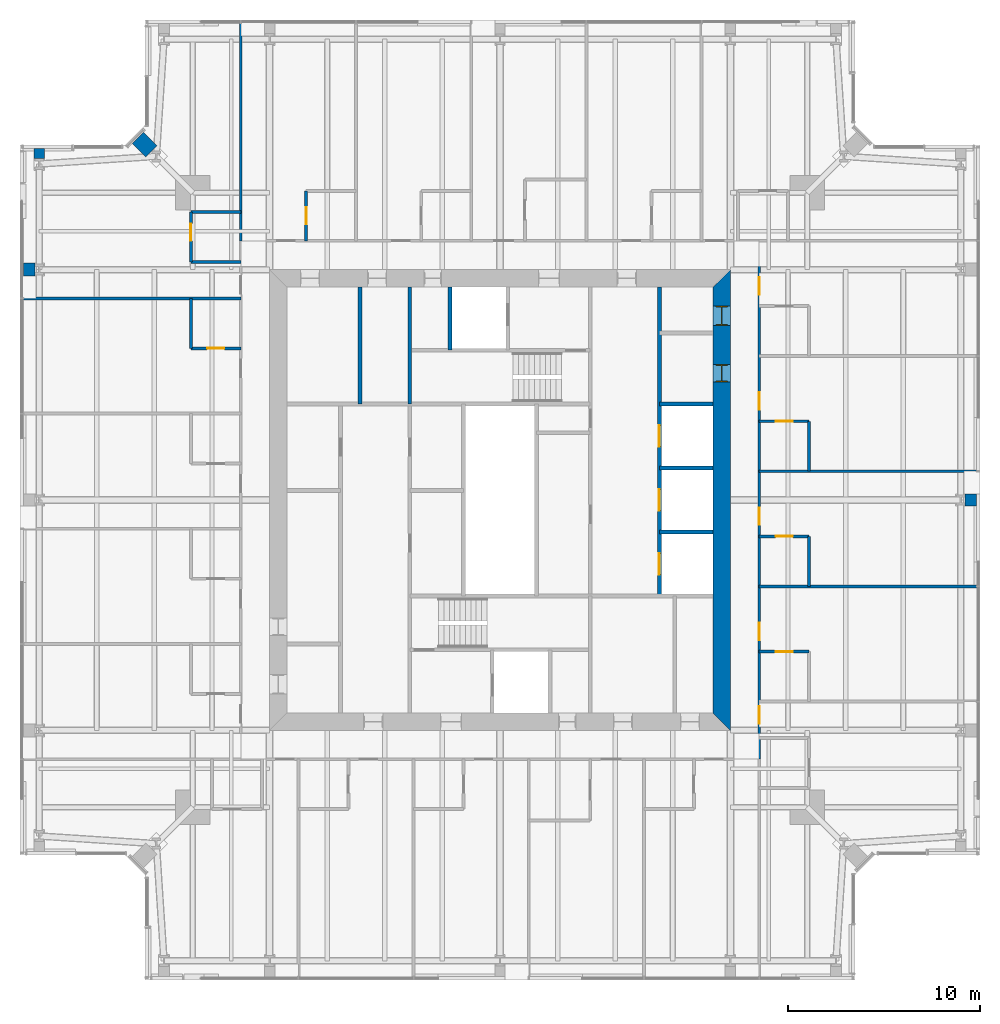
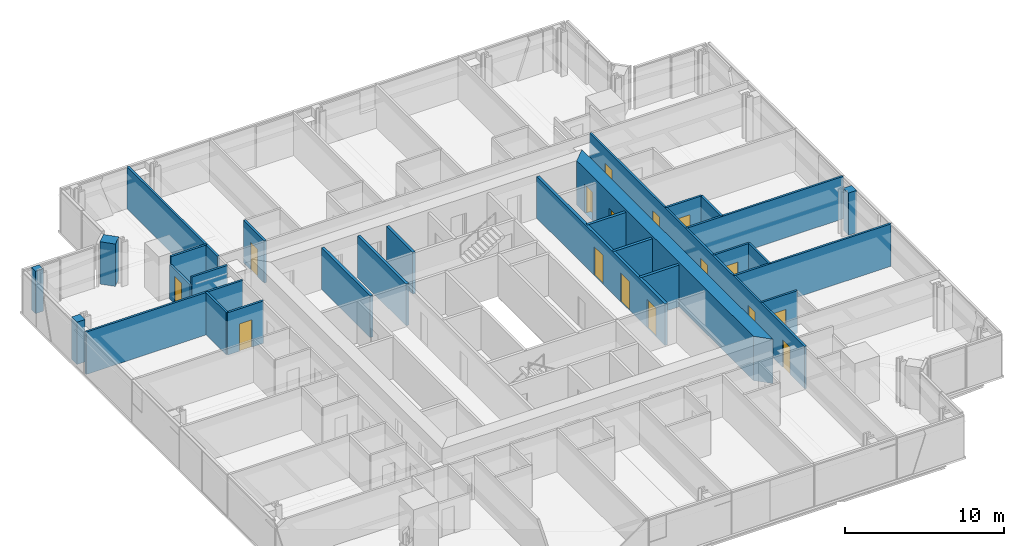
# One storey, part 13 of 20: 28 walls, 16 doors, 16 openings.
"""IFC4 building model written with IfcOpenShell, lengths in metres."""

from ifc_helpers import new_model, si_unit, direction, frame, frame_2d, origin, place, context, subcontext, project, spatial, polyline, rectangle, outline, extrude, material, layer, layer_set, type_object, element, fill, save


model = new_model("IFC4")

# Units and contexts
model_context = context("Model", 3, precision=1e-05, world=origin(), true_north=direction((0.0, 1.0)))
body_context = subcontext(model_context, "Body", "Model", "MODEL_VIEW")
ifc_project = project(units=[si_unit("LENGTHUNIT", "METRE"), si_unit("AREAUNIT", "SQUARE_METRE"), si_unit("VOLUMEUNIT", "CUBIC_METRE"), si_unit("PLANEANGLEUNIT", "RADIAN"), si_unit("MASSUNIT", "GRAM", prefix="KILO")], contexts=[model_context])

# Site, building, storey
site_placement = place(None, origin())
site = spatial("IfcSite", under=ifc_project, at=site_placement, CompositionType="ELEMENT")
building_placement = place(site_placement, origin())
building = spatial("IfcBuilding", under=site, at=building_placement, Name="Fenwick Lantern Interchange", CompositionType="ELEMENT")
storey_placement = place(building_placement, frame((0.0, 0.0, 252.60009765625)))
storey = spatial("IfcBuildingStorey", under=building, at=storey_placement, Name="L59", CompositionType="ELEMENT", Elevation=252.60009765625)

# Walls
ifc_material_1 = material(Name="Fire-rated gypsum board encasement on steel studs, 2 hour", Category="steel")
ifc_layer_1 = layer(ifc_material_1, 0.554931640625)
ifc_layer_set_1 = layer_set([ifc_layer_1], Name="COLUMN PIER 555")
wall_type_1 = type_object("IfcWallType", Name="COLUMN PIER 555", PredefinedType="PARTITIONING", material=ifc_layer_set_1)
wall_1_placement = place(storey_placement, frame((1.0, 43.31005859375, 0.0), z_axis=(0.0, 0.0, 1.0), x_axis=(0.0, -1.0, 0.0)))
element("IfcWall", 1, at=wall_1_placement, inside=storey, type_object=wall_type_1, Name="L59/W/PIER/CW1", PredefinedType="PARTITIONING", context=body_context, shape_type="SweptSolid", body=[
    extrude(rectangle(XDim=0.525634765625, YDim=0.554931640625, at=frame_2d((0.2626953125, 0.0))), origin(), (0.0, 0.0, 1.0), 3.25),
])
ifc_layer_2 = layer(ifc_material_1, 0.631103515625)
ifc_layer_set_2 = layer_set([ifc_layer_2], Name="COLUMN PIER 631")
wall_type_2 = type_object("IfcWallType", Name="COLUMN PIER 631", PredefinedType="PARTITIONING", material=ifc_layer_set_2)
wall_2_placement = place(storey_placement, frame((49.81005859375, 25.0, 0.0), z_axis=(0.0, 0.0, 1.0), x_axis=(-1.0, 0.0, 0.0)))
element("IfcWall", 2, at=wall_2_placement, inside=storey, type_object=wall_type_2, Name="L59/W/PIER/CE3", PredefinedType="PARTITIONING", context=body_context, shape_type="SweptSolid", body=[
    extrude(rectangle(XDim=0.589111328125, YDim=0.631103515625, at=frame_2d((0.29443359375, 0.0))), origin(), (0.0, 0.0, 1.0), 3.25),
])
ifc_layer_3 = layer(ifc_material_1, 0.6689453125)
ifc_layer_set_3 = layer_set([ifc_layer_3], Name="COLUMN PIER 669")
wall_type_3 = type_object("IfcWallType", Name="COLUMN PIER 669", PredefinedType="PARTITIONING", material=ifc_layer_set_3)
wall_3_placement = place(storey_placement, frame((0.18994140625, 37.0, 0.0), z_axis=(0.0, 0.0, 1.0), x_axis=(1.0, 0.0, 0.0)))
element("IfcWall", 3, at=wall_3_placement, inside=storey, type_object=wall_type_3, Name="L59/W/PIER/CW2", PredefinedType="PARTITIONING", context=body_context, shape_type="SweptSolid", body=[
    extrude(rectangle(XDim=0.582763671875, YDim=0.6689453125, at=frame_2d((0.29150390625, 0.0))), origin(), (0.0, 0.0, 1.0), 3.25),
])
ifc_layer_4 = layer(ifc_material_1, 0.823974609375)
ifc_layer_set_4 = layer_set([ifc_layer_4], Name="COLUMN PIER 824")
wall_type_4 = type_object("IfcWallType", Name="COLUMN PIER 824", PredefinedType="PARTITIONING", material=ifc_layer_set_4)
wall_4_placement = place(storey_placement, frame((6.13427734375, 43.86572265625, 0.0), z_axis=(0.0, 0.0, 1.0), x_axis=(0.707106781187, -0.707106781187, 0.0)))
element("IfcWall", 4, at=wall_4_placement, inside=storey, type_object=wall_type_4, Name="L59/W/PIER/CNR", PredefinedType="PARTITIONING", context=body_context, shape_type="SweptSolid", body=[
    extrude(rectangle(XDim=1.003662109375, YDim=0.823974609375, at=frame_2d((0.501953125, 0.0))), origin(), (0.0, 0.0, 1.0), 3.25),
])

# Wall, openings, doors
ifc_material_2 = material(Name="Concrete masonry ASTM C90 Grade N", Category="masonry")
ifc_layer_5 = layer(ifc_material_2, 0.199951171875)
ifc_layer_set_5 = layer_set([ifc_layer_5], Name="Concrete masonry ASTM C90 Grade N")
wall_type_5 = type_object("IfcWallType", Name="CORE PARTITION 200", PredefinedType="PARTITIONING", material=ifc_layer_set_5)
wall_5_placement = place(storey_placement, frame((33.300048828125, 36.10009765625, 0.0), z_axis=(0.0, 0.0, 1.0), x_axis=(0.0, -1.0, 0.0)))
wall_5 = element("IfcWall", 5, at=wall_5_placement, inside=storey, type_object=wall_type_5, Name="L59/W/COREN/a", PredefinedType="PARTITIONING", context=body_context, shape_type="SweptSolid", body=[
    extrude(rectangle(XDim=16.10009765625, YDim=0.199951171875, at=frame_2d((8.050048828125, 0.0))), origin(), (0.0, 0.0, 1.0), 3.199951171875),
])
opening_1_placement = place(wall_5_placement, frame((7.216552734375, 0.0, 0.0)))
opening_1 = element("IfcOpeningElement", 6, at=opening_1_placement, cuts=wall_5, Name="Opening LD-E1-1", PredefinedType="OPENING", context=body_context, shape_type="SweptSolid", body=[
    extrude(rectangle(XDim=1.10009765625, YDim=2.199951171875, at=frame_2d((0.550048828125, 1.10009765625))), frame((0.0, 0.10986328125, 0.0), z_axis=(0.0, -1.0, 0.0), x_axis=(1.0, 0.0, 0.0)), (0.0, 0.0, 1.0), 0.219970703125),
])
opening_2_placement = place(wall_5_placement, frame((10.550048828125, 0.0, 0.0)))
opening_2 = element("IfcOpeningElement", 7, at=opening_2_placement, cuts=wall_5, Name="Opening LD-E1-2", PredefinedType="OPENING", context=body_context, shape_type="SweptSolid", body=[
    extrude(rectangle(XDim=1.10009765625, YDim=2.199951171875, at=frame_2d((0.550048828125, 1.10009765625))), frame((0.0, 0.10986328125, 0.0), z_axis=(0.0, -1.0, 0.0), x_axis=(1.0, 0.0, 0.0)), (0.0, 0.0, 1.0), 0.219970703125),
])
opening_3_placement = place(wall_5_placement, frame((13.88330078125, 0.0, 0.0)))
opening_3 = element("IfcOpeningElement", 8, at=opening_3_placement, cuts=wall_5, Name="Opening LD-E1-3", PredefinedType="OPENING", context=body_context, shape_type="SweptSolid", body=[
    extrude(rectangle(XDim=1.10009765625, YDim=2.199951171875, at=frame_2d((0.550048828125, 1.10009765625))), frame((0.0, 0.10986328125, 0.0), z_axis=(0.0, -1.0, 0.0), x_axis=(1.0, 0.0, 0.0)), (0.0, 0.0, 1.0), 0.219970703125),
])
ifc_material_3 = material(Name="Steel door and frame", Category="steel")
door_type_1 = type_object("IfcDoorType", Name="LIFT LANDING DOOR 1100 X 2200", OperationType="DOUBLE_DOOR_SLIDING", PredefinedType="DOOR", material=ifc_material_3)
door_1_placement = place(opening_1_placement, origin())
door_1 = element("IfcDoor", 9, at=door_1_placement, inside=storey, type_object=door_type_1, Name="Lift landing door E1-1", OperationType="DOUBLE_DOOR_SLIDING", OverallHeight=2.199951171875, OverallWidth=1.10009765625, PredefinedType="DOOR", context=body_context, shape_type="SweptSolid", body=[
    extrude(rectangle(XDim=1.10009765625, YDim=2.199951171875, at=frame_2d((0.550048828125, 1.10009765625))), frame((0.0, 0.02490234375, 0.0), z_axis=(0.0, -1.0, 0.0), x_axis=(1.0, 0.0, 0.0)), (0.0, 0.0, 1.0), 0.050048828125),
])
fill(opening_1, door_1)
door_2_placement = place(opening_2_placement, origin())
door_2 = element("IfcDoor", 10, at=door_2_placement, inside=storey, type_object=door_type_1, Name="Lift landing door E1-2", OperationType="DOUBLE_DOOR_SLIDING", OverallHeight=2.199951171875, OverallWidth=1.10009765625, PredefinedType="DOOR", context=body_context, shape_type="SweptSolid", body=[
    extrude(rectangle(XDim=1.10009765625, YDim=2.199951171875, at=frame_2d((0.550048828125, 1.10009765625))), frame((0.0, 0.02490234375, 0.0), z_axis=(0.0, -1.0, 0.0), x_axis=(1.0, 0.0, 0.0)), (0.0, 0.0, 1.0), 0.050048828125),
])
fill(opening_2, door_2)
door_3_placement = place(opening_3_placement, origin())
door_3 = element("IfcDoor", 11, at=door_3_placement, inside=storey, type_object=door_type_1, Name="Lift landing door E1-3", OperationType="DOUBLE_DOOR_SLIDING", OverallHeight=2.199951171875, OverallWidth=1.10009765625, PredefinedType="DOOR", context=body_context, shape_type="SweptSolid", body=[
    extrude(rectangle(XDim=1.10009765625, YDim=2.199951171875, at=frame_2d((0.550048828125, 1.10009765625))), frame((0.0, 0.02490234375, 0.0), z_axis=(0.0, -1.0, 0.0), x_axis=(1.0, 0.0, 0.0)), (0.0, 0.0, 1.0), 0.050048828125),
])
fill(opening_3, door_3)

# Walls
for number, where, z_axis, x_axis, name in (
    (12, (36.10009765625, 30.0, 0.0), (0.0, 0.0, 1.0), (-1.0, 0.0, 0.0), "L59/W/COREN/c2"),
    (13, (36.10009765625, 26.666748046875, 0.0), (0.0, 0.0, 1.0), (-1.0, 0.0, 0.0), "L59/W/COREN/d1"),
    (14, (36.10009765625, 23.333251953125, 0.0), (0.0, 0.0, 1.0), (-1.0, 0.0, 0.0), "L59/W/COREN/d2"),
):
    element("IfcWall", number, at=place(storey_placement, frame(where, z_axis=z_axis, x_axis=x_axis)), inside=storey, type_object=wall_type_5, Name=name, PredefinedType="PARTITIONING", context=body_context, shape_type="SweptSolid", body=[
        extrude(rectangle(XDim=2.800048828125, YDim=0.199951171875, at=frame_2d((1.39990234375, 0.0))), origin(), (0.0, 0.0, 1.0), 3.199951171875),
    ])
wall_6_placement = place(storey_placement, frame((22.39990234375, 36.10009765625, 0.0), z_axis=(0.0, 0.0, 1.0), x_axis=(0.0, -1.0, 0.0)))
element("IfcWall", 15, at=wall_6_placement, inside=storey, type_object=wall_type_5, Name="L59/W/COREN/h2", PredefinedType="PARTITIONING", context=body_context, shape_type="SweptSolid", body=[
    extrude(rectangle(XDim=3.300048828125, YDim=0.199951171875, at=frame_2d((1.64990234375, 0.0))), origin(), (0.0, 0.0, 1.0), 3.199951171875),
])
wall_7_placement = place(storey_placement, frame((17.699951171875, 36.10009765625, 0.0), z_axis=(0.0, 0.0, 1.0), x_axis=(0.0, -1.0, 0.0)))
element("IfcWall", 16, at=wall_7_placement, inside=storey, type_object=wall_type_5, Name="L59/W/COREN/i2", PredefinedType="PARTITIONING", context=body_context, shape_type="SweptSolid", body=[
    extrude(rectangle(XDim=6.10009765625, YDim=0.199951171875, at=frame_2d((3.050048828125, 0.0))), origin(), (0.0, 0.0, 1.0), 3.199951171875),
])

# Wall, openings, doors
ifc_material_4 = material(Name="Concrete f'c 70 MPa", Category="concrete")
ifc_layer_6 = layer(ifc_material_4, 0.89990234375)
ifc_layer_set_6 = layer_set([ifc_layer_6], Name="CORE WALL 900")
wall_type_6 = type_object("IfcWallType", Name="CORE WALL 900", PredefinedType="SHEAR", material=ifc_layer_set_6)
wall_8_placement = place(storey_placement, frame((36.550048828125, 13.89990234375, 0.0), z_axis=(0.0, 0.0, 1.0), x_axis=(0.0, 1.0, 0.0)))
wall_8 = element("IfcWall", 17, at=wall_8_placement, inside=storey, type_object=wall_type_6, Name="L59/CORE/E", PredefinedType="SHEAR", context=body_context, shape_type="SweptSolid", body=[
    extrude(outline(polyline([(-0.89990234375, -0.449951171875), (23.10009765625, -0.449951171875), (22.199951171875, 0.449951171875), (0.0, 0.449951171875), (-0.89990234375, -0.449951171875)])), origin(), (0.0, 0.0, 1.0), 3.39990234375),
])
opening_4_placement = place(wall_8_placement, frame((20.199951171875, 0.0, 0.0)))
opening_4 = element("IfcOpeningElement", 18, at=opening_4_placement, cuts=wall_8, Name="Opening L59-D018", PredefinedType="OPENING", context=body_context, shape_type="SweptSolid", body=[
    extrude(rectangle(XDim=1.0, YDim=2.199951171875, at=frame_2d((0.5, 1.10009765625))), frame((0.0, 0.4599609375, 0.0), z_axis=(0.0, -1.0, 0.0), x_axis=(1.0, 0.0, 0.0)), (0.0, 0.0, 1.0), 0.919921875),
])
opening_5_placement = place(wall_8_placement, frame((17.25, 0.0, 0.0)))
opening_5 = element("IfcOpeningElement", 19, at=opening_5_placement, cuts=wall_8, Name="Opening L59-D019", PredefinedType="OPENING", context=body_context, shape_type="SweptSolid", body=[
    extrude(rectangle(XDim=0.89990234375, YDim=2.199951171875, at=frame_2d((0.449951171875, 1.10009765625))), frame((0.0, 0.4599609375, 0.0), z_axis=(0.0, -1.0, 0.0), x_axis=(1.0, 0.0, 0.0)), (0.0, 0.0, 1.0), 0.919921875),
])
door_type_2 = type_object("IfcDoorType", Name="SERVICE DOOR 1000 X 2200", OperationType="SINGLE_SWING_LEFT", PredefinedType="DOOR", material=ifc_material_3)
door_4_placement = place(opening_4_placement, origin())
door_4 = element("IfcDoor", 20, at=door_4_placement, inside=storey, type_object=door_type_2, Name="Service door", OperationType="SINGLE_SWING_LEFT", OverallHeight=2.199951171875, OverallWidth=1.0, PredefinedType="DOOR", context=body_context, shape_type="SweptSolid", body=[
    extrude(rectangle(XDim=1.0, YDim=2.199951171875, at=frame_2d((0.5, 1.10009765625))), frame((0.0, 0.02490234375, 0.0), z_axis=(0.0, -1.0, 0.0), x_axis=(1.0, 0.0, 0.0)), (0.0, 0.0, 1.0), 0.050048828125),
    extrude(outline(polyline([(0.0, 0.0), (0.0400390625, 0.0), (0.0400390625, 2.159912109375), (0.9599609375, 2.159912109375), (0.9599609375, 0.0), (1.0, 0.0), (1.0, 2.199951171875), (0.0, 2.199951171875), (0.0, 0.0)])), frame((0.0, 0.300048828125, 0.0), z_axis=(0.0, -1.0, 0.0), x_axis=(1.0, 0.0, 0.0)), (0.0, 0.0, 1.0), 0.60009765625),
])
fill(opening_4, door_4)
door_type_3 = type_object("IfcDoorType", Name="SERVICE DOOR 900 X 2200", OperationType="SINGLE_SWING_LEFT", PredefinedType="DOOR", material=ifc_material_3)
door_5_placement = place(opening_5_placement, origin())
door_5 = element("IfcDoor", 21, at=door_5_placement, inside=storey, type_object=door_type_3, Name="Service door", OperationType="SINGLE_SWING_LEFT", OverallHeight=2.199951171875, OverallWidth=0.89990234375, PredefinedType="DOOR", context=body_context, shape_type="SweptSolid", body=[
    extrude(rectangle(XDim=0.89990234375, YDim=2.199951171875, at=frame_2d((0.449951171875, 1.10009765625))), frame((0.0, 0.02490234375, 0.0), z_axis=(0.0, -1.0, 0.0), x_axis=(1.0, 0.0, 0.0)), (0.0, 0.0, 1.0), 0.050048828125),
    extrude(outline(polyline([(0.0, 0.0), (0.0400390625, 0.0), (0.0400390625, 2.159912109375), (0.85986328125, 2.159912109375), (0.85986328125, 0.0), (0.89990234375, 0.0), (0.89990234375, 2.199951171875), (0.0, 2.199951171875), (0.0, 0.0)])), frame((0.0, 0.300048828125, 0.0), z_axis=(0.0, -1.0, 0.0), x_axis=(1.0, 0.0, 0.0)), (0.0, 0.0, 1.0), 0.60009765625),
])
fill(opening_5, door_5)

ifc_material_5 = material(Name="Gypsum board on steel studs, 1 hour", Category="steel")
ifc_layer_7 = layer(ifc_material_5, 0.14990234375)
ifc_layer_set_7 = layer_set([ifc_layer_7], Name="CORRIDOR WALL 150")
wall_type_7 = type_object("IfcWallType", Name="CORRIDOR WALL 150", PredefinedType="PARTITIONING", material=ifc_layer_set_7)
wall_9_placement = place(storey_placement, frame((38.5, 11.5, 0.0), z_axis=(0.0, 0.0, 1.0), x_axis=(0.0, 1.0, 0.0)))
wall_9 = element("IfcWall", 22, at=wall_9_placement, inside=storey, type_object=wall_type_7, Name="L59/W/HOTEL/E/CW", PredefinedType="PARTITIONING", context=body_context, shape_type="SweptSolid", body=[
    extrude(rectangle(XDim=27.0, YDim=0.14990234375, at=frame_2d((13.5, 0.0))), origin(), (0.0, 0.0, 1.0), 3.25),
])
opening_6_placement = place(wall_9_placement, frame((1.85009765625, 0.0, 0.0)))
opening_6 = element("IfcOpeningElement", 23, at=opening_6_placement, cuts=wall_9, Name="Opening L59-D032", PredefinedType="OPENING", context=body_context, shape_type="SweptSolid", body=[
    extrude(rectangle(XDim=0.89990234375, YDim=2.10009765625, at=frame_2d((0.449951171875, 1.050048828125))), frame((0.0, 0.0849609375, 0.0), z_axis=(0.0, -1.0, 0.0), x_axis=(1.0, 0.0, 0.0)), (0.0, 0.0, 1.0), 0.169921875),
])
opening_7_placement = place(wall_9_placement, frame((6.199951171875, 0.0, 0.0)))
opening_7 = element("IfcOpeningElement", 24, at=opening_7_placement, cuts=wall_9, Name="Opening L59-D035", PredefinedType="OPENING", context=body_context, shape_type="SweptSolid", body=[
    extrude(rectangle(XDim=0.89990234375, YDim=2.10009765625, at=frame_2d((0.449951171875, 1.050048828125))), frame((0.0, 0.0849609375, 0.0), z_axis=(0.0, -1.0, 0.0), x_axis=(1.0, 0.0, 0.0)), (0.0, 0.0, 1.0), 0.169921875),
])
opening_8_placement = place(wall_9_placement, frame((12.199951171875, 0.0, 0.0)))
opening_8 = element("IfcOpeningElement", 25, at=opening_8_placement, cuts=wall_9, Name="Opening L59-D037", PredefinedType="OPENING", context=body_context, shape_type="SweptSolid", body=[
    extrude(rectangle(XDim=0.89990234375, YDim=2.10009765625, at=frame_2d((0.449951171875, 1.050048828125))), frame((0.0, 0.0849609375, 0.0), z_axis=(0.0, -1.0, 0.0), x_axis=(1.0, 0.0, 0.0)), (0.0, 0.0, 1.0), 0.169921875),
])
opening_9_placement = place(wall_9_placement, frame((18.199951171875, 0.0, 0.0)))
opening_9 = element("IfcOpeningElement", 26, at=opening_9_placement, cuts=wall_9, Name="Opening L59-D039", PredefinedType="OPENING", context=body_context, shape_type="SweptSolid", body=[
    extrude(rectangle(XDim=0.89990234375, YDim=2.10009765625, at=frame_2d((0.449951171875, 1.050048828125))), frame((0.0, 0.0849609375, 0.0), z_axis=(0.0, -1.0, 0.0), x_axis=(1.0, 0.0, 0.0)), (0.0, 0.0, 1.0), 0.169921875),
])
opening_10_placement = place(wall_9_placement, frame((24.199951171875, 0.0, 0.0)))
opening_10 = element("IfcOpeningElement", 27, at=opening_10_placement, cuts=wall_9, Name="Opening L59-D041", PredefinedType="OPENING", context=body_context, shape_type="SweptSolid", body=[
    extrude(rectangle(XDim=0.89990234375, YDim=2.10009765625, at=frame_2d((0.449951171875, 1.050048828125))), frame((0.0, 0.0849609375, 0.0), z_axis=(0.0, -1.0, 0.0), x_axis=(1.0, 0.0, 0.0)), (0.0, 0.0, 1.0), 0.169921875),
])
door_type_4 = type_object("IfcDoorType", Name="GUEST ROOM DOOR 900 X 2100", OperationType="SINGLE_SWING_LEFT", PredefinedType="DOOR", material=ifc_material_3)
door_6_placement = place(opening_6_placement, frame((0.89990234375, 0.0, 0.0), z_axis=(0.0, 0.0, 1.0), x_axis=(-1.0, 0.0, 0.0)))
door_6 = element("IfcDoor", 28, at=door_6_placement, inside=storey, type_object=door_type_4, Name="Guest room door", OperationType="SINGLE_SWING_LEFT", OverallHeight=2.10009765625, OverallWidth=0.89990234375, PredefinedType="DOOR", context=body_context, shape_type="SweptSolid", body=[
    extrude(rectangle(XDim=0.89990234375, YDim=2.10009765625, at=frame_2d((0.449951171875, 1.050048828125))), frame((0.0, 0.02490234375, 0.0), z_axis=(0.0, -1.0, 0.0), x_axis=(1.0, 0.0, 0.0)), (0.0, 0.0, 1.0), 0.050048828125),
])
fill(opening_6, door_6)
door_7_placement = place(opening_7_placement, frame((0.89990234375, 0.0, 0.0), z_axis=(0.0, 0.0, 1.0), x_axis=(-1.0, 0.0, 0.0)))
door_7 = element("IfcDoor", 29, at=door_7_placement, inside=storey, type_object=door_type_4, Name="Guest room door", OperationType="SINGLE_SWING_RIGHT", OverallHeight=2.10009765625, OverallWidth=0.89990234375, PredefinedType="DOOR", context=body_context, shape_type="SweptSolid", body=[
    extrude(rectangle(XDim=0.89990234375, YDim=2.10009765625, at=frame_2d((0.449951171875, 1.050048828125))), frame((0.0, 0.02490234375, 0.0), z_axis=(0.0, -1.0, 0.0), x_axis=(1.0, 0.0, 0.0)), (0.0, 0.0, 1.0), 0.050048828125),
])
fill(opening_7, door_7)
door_8_placement = place(opening_8_placement, frame((0.89990234375, 0.0, 0.0), z_axis=(0.0, 0.0, 1.0), x_axis=(-1.0, 0.0, 0.0)))
door_8 = element("IfcDoor", 30, at=door_8_placement, inside=storey, type_object=door_type_4, Name="Guest room door", OperationType="SINGLE_SWING_RIGHT", OverallHeight=2.10009765625, OverallWidth=0.89990234375, PredefinedType="DOOR", context=body_context, shape_type="SweptSolid", body=[
    extrude(rectangle(XDim=0.89990234375, YDim=2.10009765625, at=frame_2d((0.449951171875, 1.050048828125))), frame((0.0, 0.02490234375, 0.0), z_axis=(0.0, -1.0, 0.0), x_axis=(1.0, 0.0, 0.0)), (0.0, 0.0, 1.0), 0.050048828125),
])
fill(opening_8, door_8)
door_9_placement = place(opening_9_placement, frame((0.89990234375, 0.0, 0.0), z_axis=(0.0, 0.0, 1.0), x_axis=(-1.0, 0.0, 0.0)))
door_9 = element("IfcDoor", 31, at=door_9_placement, inside=storey, type_object=door_type_4, Name="Guest room door", OperationType="SINGLE_SWING_RIGHT", OverallHeight=2.10009765625, OverallWidth=0.89990234375, PredefinedType="DOOR", context=body_context, shape_type="SweptSolid", body=[
    extrude(rectangle(XDim=0.89990234375, YDim=2.10009765625, at=frame_2d((0.449951171875, 1.050048828125))), frame((0.0, 0.02490234375, 0.0), z_axis=(0.0, -1.0, 0.0), x_axis=(1.0, 0.0, 0.0)), (0.0, 0.0, 1.0), 0.050048828125),
])
fill(opening_9, door_9)
door_10_placement = place(opening_10_placement, frame((0.89990234375, 0.0, 0.0), z_axis=(0.0, 0.0, 1.0), x_axis=(-1.0, 0.0, 0.0)))
door_10 = element("IfcDoor", 32, at=door_10_placement, inside=storey, type_object=door_type_4, Name="Guest room door", OperationType="SINGLE_SWING_RIGHT", OverallHeight=2.10009765625, OverallWidth=0.89990234375, PredefinedType="DOOR", context=body_context, shape_type="SweptSolid", body=[
    extrude(rectangle(XDim=0.89990234375, YDim=2.10009765625, at=frame_2d((0.449951171875, 1.050048828125))), frame((0.0, 0.02490234375, 0.0), z_axis=(0.0, -1.0, 0.0), x_axis=(1.0, 0.0, 0.0)), (0.0, 0.0, 1.0), 0.050048828125),
])
fill(opening_10, door_10)

# Wall, opening, door
ifc_material_6 = material(Name="Gypsum board on steel studs, moisture resistant", Category="steel")
ifc_layer_8 = layer(ifc_material_6, 0.14990234375)
ifc_layer_set_8 = layer_set([ifc_layer_8], Name="EN-SUITE WALL 150")
wall_type_8 = type_object("IfcWallType", Name="EN-SUITE WALL 150", PredefinedType="PARTITIONING", material=ifc_layer_set_8)
wall_10_placement = place(storey_placement, frame((41.10009765625, 17.10009765625, 0.0), z_axis=(0.0, 0.0, 1.0), x_axis=(-1.0, 0.0, 0.0)))
wall_10 = element("IfcWall", 33, at=wall_10_placement, inside=storey, type_object=wall_type_8, Name="L59/W/HOTEL/E/U2BX", PredefinedType="PARTITIONING", context=body_context, shape_type="SweptSolid", body=[
    extrude(rectangle(XDim=2.60009765625, YDim=0.14990234375, at=frame_2d((1.300048828125, 0.0))), origin(), (0.0, 0.0, 1.0), 3.25),
])
opening_11_placement = place(wall_10_placement, frame((0.85009765625, 0.0, 0.0)))
opening_11 = element("IfcOpeningElement", 34, at=opening_11_placement, cuts=wall_10, Name="Opening L59-D034", PredefinedType="OPENING", context=body_context, shape_type="SweptSolid", body=[
    extrude(rectangle(XDim=0.89990234375, YDim=2.10009765625, at=frame_2d((0.449951171875, 1.050048828125))), frame((0.0, 0.0849609375, 0.0), z_axis=(0.0, -1.0, 0.0), x_axis=(1.0, 0.0, 0.0)), (0.0, 0.0, 1.0), 0.169921875),
])
ifc_material_7 = material(Name="Hardwood door and steel frame", Category="steel")
door_type_5 = type_object("IfcDoorType", Name="EN-SUITE DOOR 900 X 2100", OperationType="SINGLE_SWING_LEFT", PredefinedType="DOOR", material=ifc_material_7)
door_11_placement = place(opening_11_placement, origin())
door_11 = element("IfcDoor", 35, at=door_11_placement, inside=storey, type_object=door_type_5, Name="En-suite door", OperationType="SINGLE_SWING_LEFT", OverallHeight=2.10009765625, OverallWidth=0.89990234375, PredefinedType="DOOR", context=body_context, shape_type="SweptSolid", body=[
    extrude(rectangle(XDim=0.89990234375, YDim=2.10009765625, at=frame_2d((0.449951171875, 1.050048828125))), frame((0.0, 0.02490234375, 0.0), z_axis=(0.0, -1.0, 0.0), x_axis=(1.0, 0.0, 0.0)), (0.0, 0.0, 1.0), 0.050048828125),
])
fill(opening_11, door_11)

# Wall
wall_11_placement = place(storey_placement, frame((41.10009765625, 20.5, 0.0), z_axis=(0.0, 0.0, 1.0), x_axis=(0.0, 1.0, 0.0)))
element("IfcWall", 36, at=wall_11_placement, inside=storey, type_object=wall_type_8, Name="L59/W/HOTEL/E/U3BW", PredefinedType="PARTITIONING", context=body_context, shape_type="SweptSolid", body=[
    extrude(rectangle(XDim=2.60009765625, YDim=0.14990234375, at=frame_2d((1.300048828125, 0.0))), origin(), (0.0, 0.0, 1.0), 3.25),
])

# Wall, opening, door
wall_12_placement = place(storey_placement, frame((41.10009765625, 23.10009765625, 0.0), z_axis=(0.0, 0.0, 1.0), x_axis=(-1.0, 0.0, 0.0)))
wall_12 = element("IfcWall", 37, at=wall_12_placement, inside=storey, type_object=wall_type_8, Name="L59/W/HOTEL/E/U3BX", PredefinedType="PARTITIONING", context=body_context, shape_type="SweptSolid", body=[
    extrude(rectangle(XDim=2.60009765625, YDim=0.14990234375, at=frame_2d((1.300048828125, 0.0))), origin(), (0.0, 0.0, 1.0), 3.25),
])
opening_12_placement = place(wall_12_placement, frame((0.85009765625, 0.0, 0.0)))
opening_12 = element("IfcOpeningElement", 38, at=opening_12_placement, cuts=wall_12, Name="Opening L59-D036", PredefinedType="OPENING", context=body_context, shape_type="SweptSolid", body=[
    extrude(rectangle(XDim=0.89990234375, YDim=2.10009765625, at=frame_2d((0.449951171875, 1.050048828125))), frame((0.0, 0.0849609375, 0.0), z_axis=(0.0, -1.0, 0.0), x_axis=(1.0, 0.0, 0.0)), (0.0, 0.0, 1.0), 0.169921875),
])
door_12_placement = place(opening_12_placement, origin())
door_12 = element("IfcDoor", 39, at=door_12_placement, inside=storey, type_object=door_type_5, Name="En-suite door", OperationType="SINGLE_SWING_LEFT", OverallHeight=2.10009765625, OverallWidth=0.89990234375, PredefinedType="DOOR", context=body_context, shape_type="SweptSolid", body=[
    extrude(rectangle(XDim=0.89990234375, YDim=2.10009765625, at=frame_2d((0.449951171875, 1.050048828125))), frame((0.0, 0.02490234375, 0.0), z_axis=(0.0, -1.0, 0.0), x_axis=(1.0, 0.0, 0.0)), (0.0, 0.0, 1.0), 0.050048828125),
])
fill(opening_12, door_12)

# Wall
wall_13_placement = place(storey_placement, frame((41.10009765625, 26.5, 0.0), z_axis=(0.0, 0.0, 1.0), x_axis=(0.0, 1.0, 0.0)))
element("IfcWall", 40, at=wall_13_placement, inside=storey, type_object=wall_type_8, Name="L59/W/HOTEL/E/U4BW", PredefinedType="PARTITIONING", context=body_context, shape_type="SweptSolid", body=[
    extrude(rectangle(XDim=2.60009765625, YDim=0.14990234375, at=frame_2d((1.300048828125, 0.0))), origin(), (0.0, 0.0, 1.0), 3.25),
])

# Wall, opening, door
wall_14_placement = place(storey_placement, frame((41.10009765625, 29.10009765625, 0.0), z_axis=(0.0, 0.0, 1.0), x_axis=(-1.0, 0.0, 0.0)))
wall_14 = element("IfcWall", 41, at=wall_14_placement, inside=storey, type_object=wall_type_8, Name="L59/W/HOTEL/E/U4BX", PredefinedType="PARTITIONING", context=body_context, shape_type="SweptSolid", body=[
    extrude(rectangle(XDim=2.60009765625, YDim=0.14990234375, at=frame_2d((1.300048828125, 0.0))), origin(), (0.0, 0.0, 1.0), 3.25),
])
opening_13_placement = place(wall_14_placement, frame((0.85009765625, 0.0, 0.0)))
opening_13 = element("IfcOpeningElement", 42, at=opening_13_placement, cuts=wall_14, Name="Opening L59-D038", PredefinedType="OPENING", context=body_context, shape_type="SweptSolid", body=[
    extrude(rectangle(XDim=0.89990234375, YDim=2.10009765625, at=frame_2d((0.449951171875, 1.050048828125))), frame((0.0, 0.0849609375, 0.0), z_axis=(0.0, -1.0, 0.0), x_axis=(1.0, 0.0, 0.0)), (0.0, 0.0, 1.0), 0.169921875),
])
door_13_placement = place(opening_13_placement, origin())
door_13 = element("IfcDoor", 43, at=door_13_placement, inside=storey, type_object=door_type_5, Name="En-suite door", OperationType="SINGLE_SWING_LEFT", OverallHeight=2.10009765625, OverallWidth=0.89990234375, PredefinedType="DOOR", context=body_context, shape_type="SweptSolid", body=[
    extrude(rectangle(XDim=0.89990234375, YDim=2.10009765625, at=frame_2d((0.449951171875, 1.050048828125))), frame((0.0, 0.02490234375, 0.0), z_axis=(0.0, -1.0, 0.0), x_axis=(1.0, 0.0, 0.0)), (0.0, 0.0, 1.0), 0.050048828125),
])
fill(opening_13, door_13)

wall_15_placement = place(storey_placement, frame((14.89990234375, 41.10009765625, 0.0), z_axis=(0.0, 0.0, 1.0), x_axis=(0.0, -1.0, 0.0)))
wall_15 = element("IfcWall", 44, at=wall_15_placement, inside=storey, type_object=wall_type_8, Name="L59/W/HOTEL/N/U5BX", PredefinedType="PARTITIONING", context=body_context, shape_type="SweptSolid", body=[
    extrude(rectangle(XDim=2.60009765625, YDim=0.14990234375, at=frame_2d((1.300048828125, 0.0))), origin(), (0.0, 0.0, 1.0), 3.25),
])
opening_14_placement = place(wall_15_placement, frame((0.85009765625, 0.0, 0.0)))
opening_14 = element("IfcOpeningElement", 45, at=opening_14_placement, cuts=wall_15, Name="Opening L59-D050", PredefinedType="OPENING", context=body_context, shape_type="SweptSolid", body=[
    extrude(rectangle(XDim=0.89990234375, YDim=2.10009765625, at=frame_2d((0.449951171875, 1.050048828125))), frame((0.0, 0.0849609375, 0.0), z_axis=(0.0, -1.0, 0.0), x_axis=(1.0, 0.0, 0.0)), (0.0, 0.0, 1.0), 0.169921875),
])
door_14_placement = place(opening_14_placement, origin())
door_14 = element("IfcDoor", 46, at=door_14_placement, inside=storey, type_object=door_type_5, Name="En-suite door", OperationType="SINGLE_SWING_LEFT", OverallHeight=2.10009765625, OverallWidth=0.89990234375, PredefinedType="DOOR", context=body_context, shape_type="SweptSolid", body=[
    extrude(rectangle(XDim=0.89990234375, YDim=2.10009765625, at=frame_2d((0.449951171875, 1.050048828125))), frame((0.0, 0.02490234375, 0.0), z_axis=(0.0, -1.0, 0.0), x_axis=(1.0, 0.0, 0.0)), (0.0, 0.0, 1.0), 0.050048828125),
])
fill(opening_14, door_14)

wall_16_placement = place(storey_placement, frame((8.89990234375, 40.0, 0.0), z_axis=(0.0, 0.0, 1.0), x_axis=(0.0, -1.0, 0.0)))
wall_16 = element("IfcWall", 47, at=wall_16_placement, inside=storey, type_object=wall_type_8, Name="L59/W/HOTEL/W/U1BW", PredefinedType="PARTITIONING", context=body_context, shape_type="SweptSolid", body=[
    extrude(rectangle(XDim=2.60009765625, YDim=0.14990234375, at=frame_2d((1.300048828125, 0.0))), origin(), (0.0, 0.0, 1.0), 2.6376953125),
])
opening_15_placement = place(wall_16_placement, frame((0.60009765625, 0.0, 0.0)))
opening_15 = element("IfcOpeningElement", 48, at=opening_15_placement, cuts=wall_16, Name="Opening L59-D053", PredefinedType="OPENING", context=body_context, shape_type="SweptSolid", body=[
    extrude(rectangle(XDim=0.89990234375, YDim=2.10009765625, at=frame_2d((0.449951171875, 1.050048828125))), frame((0.0, 0.0849609375, 0.0), z_axis=(0.0, -1.0, 0.0), x_axis=(1.0, 0.0, 0.0)), (0.0, 0.0, 1.0), 0.169921875),
])
door_15_placement = place(opening_15_placement, origin())
door_15 = element("IfcDoor", 49, at=door_15_placement, inside=storey, type_object=door_type_5, Name="En-suite door", OperationType="SINGLE_SWING_LEFT", OverallHeight=2.10009765625, OverallWidth=0.89990234375, PredefinedType="DOOR", context=body_context, shape_type="SweptSolid", body=[
    extrude(rectangle(XDim=0.89990234375, YDim=2.10009765625, at=frame_2d((0.449951171875, 1.050048828125))), frame((0.0, 0.02490234375, 0.0), z_axis=(0.0, -1.0, 0.0), x_axis=(1.0, 0.0, 0.0)), (0.0, 0.0, 1.0), 0.050048828125),
])
fill(opening_15, door_15)

# Walls
for number, where, z_axis, x_axis, name in (
    (50, (8.89990234375, 40.0, 0.0), (0.0, 0.0, 1.0), (1.0, 0.0, 0.0), "L59/W/HOTEL/W/U1BX"),
    (51, (8.89990234375, 37.39990234375, 0.0), (0.0, 0.0, 1.0), (1.0, 0.0, 0.0), "L59/W/HOTEL/W/U1BE"),
    (52, (8.89990234375, 35.5, 0.0), (0.0, 0.0, 1.0), (0.0, -1.0, 0.0), "L59/W/HOTEL/W/U2BW"),
):
    element("IfcWall", number, at=place(storey_placement, frame(where, z_axis=z_axis, x_axis=x_axis)), inside=storey, type_object=wall_type_8, Name=name, PredefinedType="PARTITIONING", context=body_context, shape_type="SweptSolid", body=[
        extrude(rectangle(XDim=2.60009765625, YDim=0.14990234375, at=frame_2d((1.300048828125, 0.0))), origin(), (0.0, 0.0, 1.0), 3.25),
    ])

# Wall, opening, door
wall_17_placement = place(storey_placement, frame((8.89990234375, 32.89990234375, 0.0), z_axis=(0.0, 0.0, 1.0), x_axis=(1.0, 0.0, 0.0)))
wall_17 = element("IfcWall", 53, at=wall_17_placement, inside=storey, type_object=wall_type_8, Name="L59/W/HOTEL/W/U2BX", PredefinedType="PARTITIONING", context=body_context, shape_type="SweptSolid", body=[
    extrude(rectangle(XDim=2.60009765625, YDim=0.14990234375, at=frame_2d((1.300048828125, 0.0))), origin(), (0.0, 0.0, 1.0), 3.25),
])
opening_16_placement = place(wall_17_placement, frame((0.85009765625, 0.0, 0.0)))
opening_16 = element("IfcOpeningElement", 54, at=opening_16_placement, cuts=wall_17, Name="Opening L59-D054", PredefinedType="OPENING", context=body_context, shape_type="SweptSolid", body=[
    extrude(rectangle(XDim=0.89990234375, YDim=2.10009765625, at=frame_2d((0.449951171875, 1.050048828125))), frame((0.0, 0.0849609375, 0.0), z_axis=(0.0, -1.0, 0.0), x_axis=(1.0, 0.0, 0.0)), (0.0, 0.0, 1.0), 0.169921875),
])
door_16_placement = place(opening_16_placement, origin())
door_16 = element("IfcDoor", 55, at=door_16_placement, inside=storey, type_object=door_type_5, Name="En-suite door", OperationType="SINGLE_SWING_LEFT", OverallHeight=2.10009765625, OverallWidth=0.89990234375, PredefinedType="DOOR", context=body_context, shape_type="SweptSolid", body=[
    extrude(rectangle(XDim=0.89990234375, YDim=2.10009765625, at=frame_2d((0.449951171875, 1.050048828125))), frame((0.0, 0.02490234375, 0.0), z_axis=(0.0, -1.0, 0.0), x_axis=(1.0, 0.0, 0.0)), (0.0, 0.0, 1.0), 0.050048828125),
])
fill(opening_16, door_16)

# Walls
ifc_material_8 = material(Name="Gypsum board on steel studs, 1 hour acoustic", Category="steel")
ifc_layer_9 = layer(ifc_material_8, 0.14990234375)
ifc_layer_set_9 = layer_set([ifc_layer_9], Name="PARTY WALL 150")
wall_type_9 = type_object("IfcWallType", Name="PARTY WALL 150", PredefinedType="PARTITIONING", material=ifc_layer_set_9)
for number, where, z_axis, x_axis, name in (
    (56, (49.85009765625, 20.5, 0.0), (0.0, 0.0, 1.0), (-1.0, 0.0, 0.0), "L59/W/HOTEL/E/U3PW"),
    (57, (49.85009765625, 26.5, 0.0), (0.0, 0.0, 1.0), (-1.0, 0.0, 0.0), "L59/W/HOTEL/E/U4PW"),
    (58, (11.5, 49.85009765625, 0.0), (0.0, 0.0, 1.0), (0.0, -1.0, 0.0), "L59/W/HOTEL/W/SW3"),
    (59, (0.14990234375, 35.5, 0.0), (0.0, 0.0, 1.0), (1.0, 0.0, 0.0), "L59/W/HOTEL/W/U2PW"),
):
    element("IfcWall", number, at=place(storey_placement, frame(where, z_axis=z_axis, x_axis=x_axis)), inside=storey, type_object=wall_type_9, Name=name, PredefinedType="PARTITIONING", context=body_context, shape_type="SweptSolid", body=[
        extrude(rectangle(XDim=11.35009765625, YDim=0.14990234375, at=frame_2d((5.675048828125, 0.0))), origin(), (0.0, 0.0, 1.0), 3.25),
    ])
ifc_material_9 = material(Name="Concrete f'c 45 MPa", Category="concrete")
ifc_layer_10 = layer(ifc_material_9, 0.199951171875)
ifc_layer_set_10 = layer_set([ifc_layer_10], Name="STAIR CORE WALL 200")
wall_type_10 = type_object("IfcWallType", Name="STAIR CORE WALL 200", PredefinedType="SOLIDWALL", material=ifc_layer_set_10)
wall_18_placement = place(storey_placement, frame((20.300048828125, 36.10009765625, 0.0), z_axis=(0.0, 0.0, 1.0), x_axis=(0.0, -1.0, 0.0)))
element("IfcWall", 60, at=wall_18_placement, inside=storey, type_object=wall_type_10, Name="L59/W/COREN/i1", PredefinedType="SOLIDWALL", context=body_context, shape_type="SweptSolid", body=[
    extrude(rectangle(XDim=6.10009765625, YDim=0.199951171875, at=frame_2d((3.050048828125, 0.0))), origin(), (0.0, 0.0, 1.0), 3.199951171875),
])

save(model, "model.ifc")
